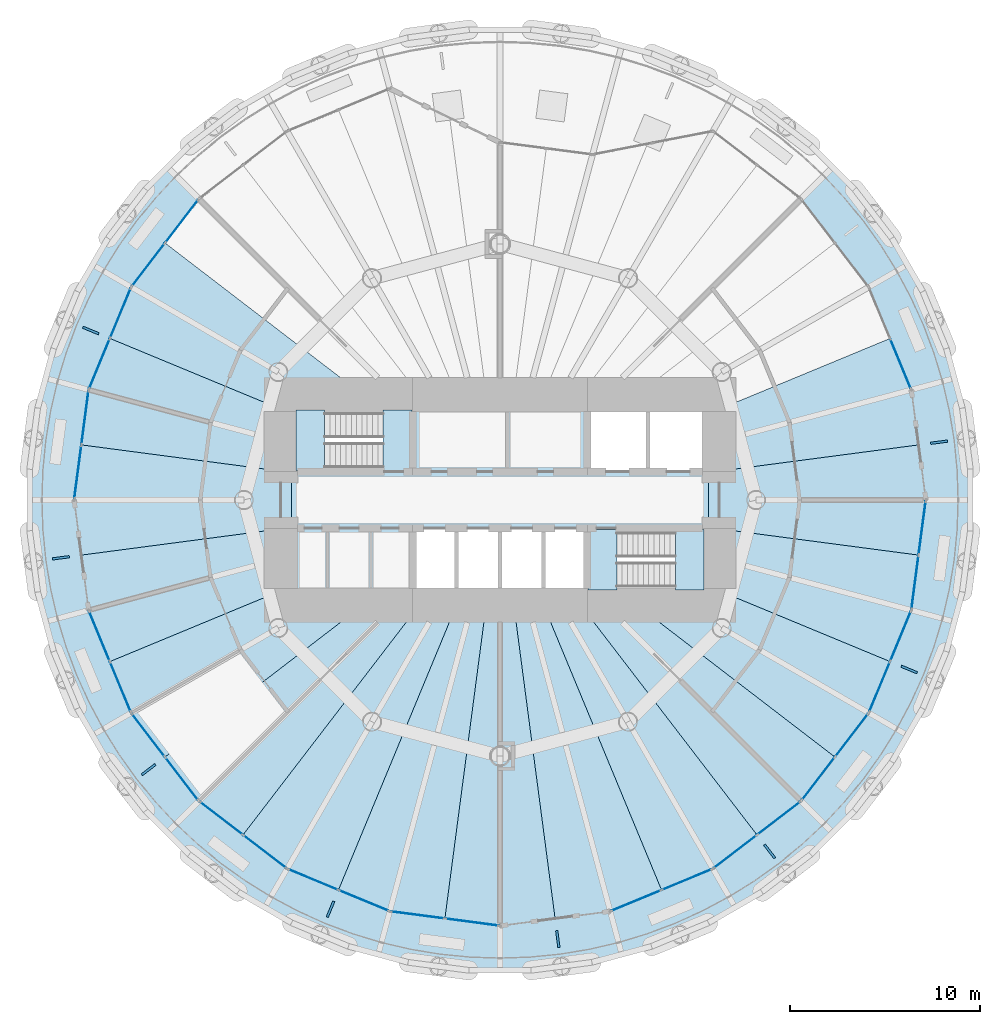
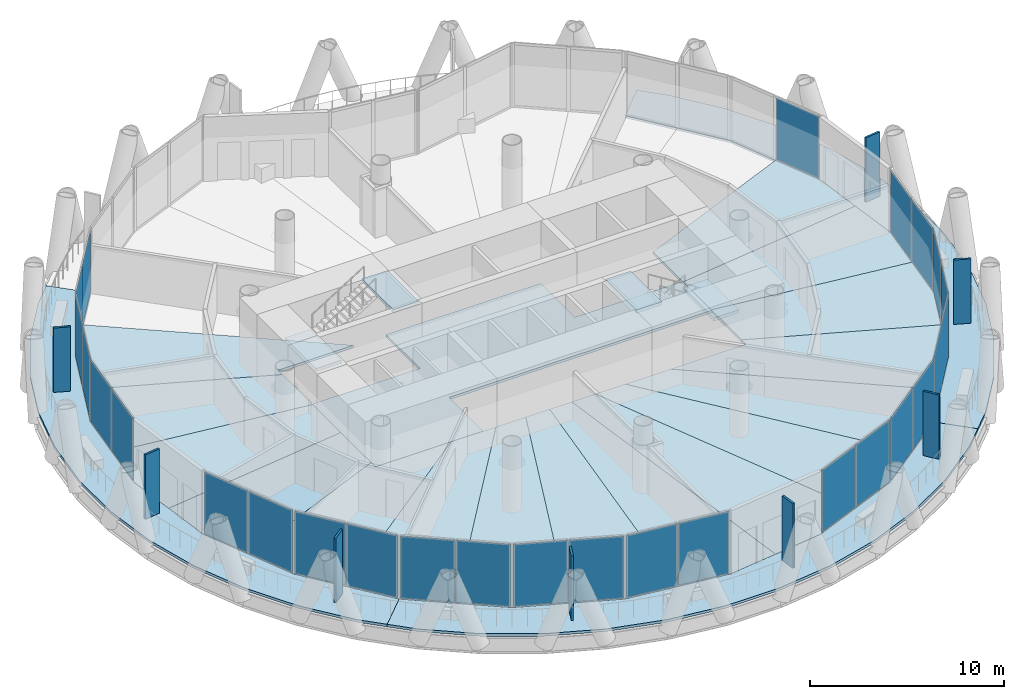
# One storey, part 8 of 15: 35 plates, 24 slabs, 16 elements without a shape of their own.
"""IFC4 building model written with IfcOpenShell, lengths in metres."""

from ifc_helpers import new_model, si_unit, direction, frame, origin, origin_2d, place, context, subcontext, project, spatial, polyline, rectangle, outline, extrude, material, layer, layer_set, type_object, element, aggregate, save


model = new_model("IFC4")

# Units and contexts
model_context = context("Model", 3, precision=1e-05, world=origin(), true_north=direction((0.0, 1.0)))
body_context = subcontext(model_context, "Body", "Model", "MODEL_VIEW")
ifc_project = project(units=[si_unit("LENGTHUNIT", "METRE"), si_unit("AREAUNIT", "SQUARE_METRE"), si_unit("VOLUMEUNIT", "CUBIC_METRE"), si_unit("PLANEANGLEUNIT", "RADIAN"), si_unit("MASSUNIT", "GRAM", prefix="KILO")], contexts=[model_context])

# Site, building, storey
site_placement = place(None, origin())
site = spatial("IfcSite", under=ifc_project, at=site_placement, CompositionType="ELEMENT")
building_placement = place(site_placement, origin())
building = spatial("IfcBuilding", under=site, at=building_placement, Name="Qaws Media Tower", CompositionType="ELEMENT")
storey_placement = place(building_placement, frame((0.0, 0.0, 147.800048828125)))
storey = spatial("IfcBuildingStorey", under=building, at=storey_placement, Name="L33", CompositionType="ELEMENT", Elevation=147.800048828125)

# Slabs
ifc_material_1 = material(Name="Concrete C35/45", Category="concrete")
ifc_layer_1 = layer(ifc_material_1, 0.159912109375)
ifc_layer_set_1 = layer_set([ifc_layer_1], Name="Composite balcony slab 160")
slab_type_1 = type_object("IfcSlabType", Name="Composite balcony slab 160", PredefinedType="FLOOR", material=ifc_layer_set_1)
slab_1_placement = place(storey_placement, frame((0.0, 0.0, -0.16015625)))
element("IfcSlab", 1, at=slab_1_placement, inside=storey, type_object=slab_type_1, Name="S2 balcony slab L33 R10 to R16, movement joints on R10 and R16", PredefinedType="FLOOR", context=body_context, shape_type="SweptSolid", body=[
    extrude(outline(polyline([(41.31689453125, 33.615234375), (39.337890625, 36.194091796875), (37.712646484375, 39.009033203125), (36.46875, 42.01220703125), (35.62744140625, 45.152099609375), (35.203125, 48.374755859375), (35.203125, 51.625244140625), (35.62744140625, 54.847900390625), (36.46875, 57.98779296875), (37.712646484375, 60.990966796875), (39.337890625, 63.805908203125), (41.31689453125, 66.384765625), (42.466064453125, 67.533935546875), (44.12548828125, 65.87451171875), (40.5576171875, 61.22509765625), (38.31494140625, 55.810546875), (37.550048828125, 50.0), (38.31494140625, 44.189453125), (40.5576171875, 38.77490234375), (44.12548828125, 34.12548828125), (42.466064453125, 32.466064453125), (41.31689453125, 33.615234375)])), origin(), (0.0, 0.0, 1.0), 0.16015625),
])
slab_2_placement = place(storey_placement, frame((0.0, 0.0, -0.16015625)))
element("IfcSlab", 2, at=slab_2_placement, inside=storey, type_object=slab_type_1, Name="S2 balcony slab L33 R16 to R22, movement joints on R16 and R22", PredefinedType="FLOOR", context=body_context, shape_type="SweptSolid", body=[
    extrude(outline(polyline([(76.384765625, 31.31689453125), (73.805908203125, 29.337890625), (70.990966796875, 27.712646484375), (67.98779296875, 26.46875), (64.847900390625, 25.62744140625), (61.625244140625, 25.203125), (58.374755859375, 25.203125), (55.152099609375, 25.62744140625), (52.01220703125, 26.46875), (49.009033203125, 27.712646484375), (46.194091796875, 29.337890625), (43.615234375, 31.31689453125), (42.466064453125, 32.466064453125), (44.12548828125, 34.12548828125), (48.77490234375, 30.5576171875), (54.189453125, 28.31494140625), (60.0, 27.550048828125), (65.810546875, 28.31494140625), (71.22509765625, 30.5576171875), (75.87451171875, 34.12548828125), (77.533935546875, 32.466064453125), (76.384765625, 31.31689453125)])), origin(), (0.0, 0.0, 1.0), 0.16015625),
])
slab_3_placement = place(storey_placement, frame((0.0, 0.0, -0.16015625)))
element("IfcSlab", 3, at=slab_3_placement, inside=storey, type_object=slab_type_1, Name="S2 balcony slab L33 R22 to R04, movement joints on R22 and R04", PredefinedType="FLOOR", context=body_context, shape_type="SweptSolid", body=[
    extrude(outline(polyline([(84.37255859375, 45.152099609375), (83.53125, 42.01220703125), (82.287353515625, 39.009033203125), (80.662109375, 36.194091796875), (78.68310546875, 33.615234375), (77.533935546875, 32.466064453125), (75.87451171875, 34.12548828125), (79.4423828125, 38.77490234375), (81.68505859375, 44.189453125), (82.449951171875, 50.0), (81.68505859375, 55.810546875), (79.4423828125, 61.22509765625), (75.87451171875, 65.87451171875), (77.533935546875, 67.533935546875), (78.68310546875, 66.384765625), (80.662109375, 63.805908203125), (82.287353515625, 60.990966796875), (83.53125, 57.98779296875), (84.37255859375, 54.847900390625), (84.796875, 51.625244140625), (84.796875, 48.374755859375), (84.37255859375, 45.152099609375)])), origin(), (0.0, 0.0, 1.0), 0.16015625),
])
ifc_material_2 = material(Name="Concrete C35/45", Category="concrete")
ifc_layer_2 = layer(ifc_material_2, 0.159912109375)
ifc_layer_set_2 = layer_set([ifc_layer_2], Name="Composite floor slab 160")
slab_type_2 = type_object("IfcSlabType", Name="Composite floor slab 160", PredefinedType="FLOOR", material=ifc_layer_set_2)
slab_4_placement = place(storey_placement, frame((0.0, 0.0, -0.16015625)))
element("IfcSlab", 4, at=slab_4_placement, inside=storey, type_object=slab_type_2, Name="S1 core floor slab L33", PredefinedType="FLOOR", context=body_context, shape_type="SweptSolid", body=[
    extrude(outline(polyline([(71.0, 51.5), (71.0, 48.5), (55.39990234375, 48.5), (55.39990234375, 45.0), (49.0, 45.0), (49.0, 51.5), (55.39990234375, 51.5), (55.39990234375, 55.0), (64.60009765625, 55.0), (64.60009765625, 51.5), (71.0, 51.5)])), origin(), (0.0, 0.0, 1.0), 0.16015625),
])
slab_5_placement = place(storey_placement, frame((0.0, 0.0, -0.16015625)))
element("IfcSlab", 5, at=slab_5_placement, inside=storey, type_object=slab_type_2, Name="S1 floor panel L33 on R01", PredefinedType="FLOOR", context=body_context, shape_type="SweptSolid", body=[
    extrude(outline(polyline([(82.449951171875, 50.0), (82.0673828125, 47.0947265625), (71.0, 48.5517578125), (71.0, 51.4482421875), (82.0673828125, 52.9052734375), (82.449951171875, 50.0)])), origin(), (0.0, 0.0, 1.0), 0.16015625),
])
slab_6_placement = place(storey_placement, frame((0.0, 0.0, -0.16015625)))
element("IfcSlab", 6, at=slab_6_placement, inside=storey, type_object=slab_type_2, Name="S1 floor panel L33 on R02", PredefinedType="FLOOR", context=body_context, shape_type="SweptSolid", body=[
    extrude(outline(polyline([(81.68505859375, 55.810546875), (82.0673828125, 52.9052734375), (71.0, 51.4482421875), (71.0, 54.556396484375), (80.563720703125, 58.517578125), (81.68505859375, 55.810546875)])), origin(), (0.0, 0.0, 1.0), 0.16015625),
])
slab_7_placement = place(storey_placement, frame((0.0, 0.0, -0.16015625)))
element("IfcSlab", 7, at=slab_7_placement, inside=storey, type_object=slab_type_2, Name="S1 floor panel L33 on R11", PredefinedType="FLOOR", context=body_context, shape_type="SweptSolid", body=[
    extrude(outline(polyline([(40.5576171875, 61.22509765625), (42.341552734375, 63.5498046875), (53.48388671875, 55.0), (49.0, 55.0), (49.0, 54.556396484375), (39.436279296875, 58.517578125), (40.5576171875, 61.22509765625)])), origin(), (0.0, 0.0, 1.0), 0.16015625),
])
slab_8_placement = place(storey_placement, frame((0.0, 0.0, -0.16015625)))
element("IfcSlab", 8, at=slab_8_placement, inside=storey, type_object=slab_type_2, Name="S1 floor panel L33 on R12", PredefinedType="FLOOR", context=body_context, shape_type="SweptSolid", body=[
    extrude(outline(polyline([(38.31494140625, 55.810546875), (39.436279296875, 58.517578125), (49.0, 54.556396484375), (49.0, 51.4482421875), (37.9326171875, 52.9052734375), (38.31494140625, 55.810546875)])), origin(), (0.0, 0.0, 1.0), 0.16015625),
])
slab_9_placement = place(storey_placement, frame((0.0, 0.0, -0.16015625)))
element("IfcSlab", 9, at=slab_9_placement, inside=storey, type_object=slab_type_2, Name="S1 floor panel L33 on R13", PredefinedType="FLOOR", context=body_context, shape_type="SweptSolid", body=[
    extrude(outline(polyline([(37.550048828125, 50.0), (37.9326171875, 52.9052734375), (49.0, 51.4482421875), (49.0, 48.5517578125), (37.9326171875, 47.0947265625), (37.550048828125, 50.0)])), origin(), (0.0, 0.0, 1.0), 0.16015625),
])
slab_10_placement = place(storey_placement, frame((0.0, 0.0, -0.16015625)))
element("IfcSlab", 10, at=slab_10_placement, inside=storey, type_object=slab_type_2, Name="S1 floor panel L33 on R14", PredefinedType="FLOOR", context=body_context, shape_type="SweptSolid", body=[
    extrude(outline(polyline([(38.31494140625, 44.189453125), (37.9326171875, 47.0947265625), (49.0, 48.5517578125), (49.0, 45.443603515625), (39.436279296875, 41.482421875), (38.31494140625, 44.189453125)])), origin(), (0.0, 0.0, 1.0), 0.16015625),
])
slab_11_placement = place(storey_placement, frame((0.0, 0.0, -0.16015625)))
element("IfcSlab", 11, at=slab_11_placement, inside=storey, type_object=slab_type_2, Name="S1 floor panel L33 on R15", PredefinedType="FLOOR", context=body_context, shape_type="SweptSolid", body=[
    extrude(outline(polyline([(40.5576171875, 38.77490234375), (39.436279296875, 41.482421875), (49.0, 45.443603515625), (49.0, 45.0), (53.48388671875, 45.0), (42.341552734375, 36.4501953125), (40.5576171875, 38.77490234375)])), origin(), (0.0, 0.0, 1.0), 0.16015625),
])
slab_12_placement = place(storey_placement, frame((0.0, 0.0, -0.16015625)))
element("IfcSlab", 12, at=slab_12_placement, inside=storey, type_object=slab_type_2, Name="S1 floor panel L33 on R16", PredefinedType="FLOOR", context=body_context, shape_type="SweptSolid", body=[
    extrude(outline(polyline([(44.12548828125, 34.12548828125), (42.341552734375, 36.4501953125), (53.48388671875, 45.0), (56.163330078125, 45.0), (46.4501953125, 32.341552734375), (44.12548828125, 34.12548828125)])), origin(), (0.0, 0.0, 1.0), 0.16015625),
])
slab_13_placement = place(storey_placement, frame((0.0, 0.0, -0.16015625)))
element("IfcSlab", 13, at=slab_13_placement, inside=storey, type_object=slab_type_2, Name="S1 floor panel L33 on R17", PredefinedType="FLOOR", context=body_context, shape_type="SweptSolid", body=[
    extrude(outline(polyline([(48.77490234375, 30.5576171875), (46.4501953125, 32.341552734375), (56.163330078125, 45.0), (57.928955078125, 45.0), (51.482421875, 29.436279296875), (48.77490234375, 30.5576171875)])), origin(), (0.0, 0.0, 1.0), 0.16015625),
])
slab_14_placement = place(storey_placement, frame((0.0, 0.0, -0.16015625)))
element("IfcSlab", 14, at=slab_14_placement, inside=storey, type_object=slab_type_2, Name="S1 floor panel L33 on R18", PredefinedType="FLOOR", context=body_context, shape_type="SweptSolid", body=[
    extrude(outline(polyline([(54.189453125, 28.31494140625), (51.482421875, 29.436279296875), (57.928955078125, 45.0), (59.341796875, 45.0), (57.0947265625, 27.9326171875), (54.189453125, 28.31494140625)])), origin(), (0.0, 0.0, 1.0), 0.16015625),
])
slab_15_placement = place(storey_placement, frame((0.0, 0.0, -0.16015625)))
element("IfcSlab", 15, at=slab_15_placement, inside=storey, type_object=slab_type_2, Name="S1 floor panel L33 on R19", PredefinedType="FLOOR", context=body_context, shape_type="SweptSolid", body=[
    extrude(outline(polyline([(60.0, 27.550048828125), (57.0947265625, 27.9326171875), (59.341796875, 45.0), (60.658203125, 45.0), (62.9052734375, 27.9326171875), (60.0, 27.550048828125)])), origin(), (0.0, 0.0, 1.0), 0.16015625),
])
slab_16_placement = place(storey_placement, frame((0.0, 0.0, -0.16015625)))
element("IfcSlab", 16, at=slab_16_placement, inside=storey, type_object=slab_type_2, Name="S1 floor panel L33 on R20", PredefinedType="FLOOR", context=body_context, shape_type="SweptSolid", body=[
    extrude(outline(polyline([(65.810546875, 28.31494140625), (62.9052734375, 27.9326171875), (60.658203125, 45.0), (62.071044921875, 45.0), (68.517578125, 29.436279296875), (65.810546875, 28.31494140625)])), origin(), (0.0, 0.0, 1.0), 0.16015625),
])
slab_17_placement = place(storey_placement, frame((0.0, 0.0, -0.16015625)))
element("IfcSlab", 17, at=slab_17_placement, inside=storey, type_object=slab_type_2, Name="S1 floor panel L33 on R21", PredefinedType="FLOOR", context=body_context, shape_type="SweptSolid", body=[
    extrude(outline(polyline([(71.22509765625, 30.5576171875), (68.517578125, 29.436279296875), (62.071044921875, 45.0), (63.836669921875, 45.0), (73.5498046875, 32.341552734375), (71.22509765625, 30.5576171875)])), origin(), (0.0, 0.0, 1.0), 0.16015625),
])
slab_18_placement = place(storey_placement, frame((0.0, 0.0, -0.16015625)))
element("IfcSlab", 18, at=slab_18_placement, inside=storey, type_object=slab_type_2, Name="S1 floor panel L33 on R22", PredefinedType="FLOOR", context=body_context, shape_type="SweptSolid", body=[
    extrude(outline(polyline([(75.87451171875, 34.12548828125), (73.5498046875, 32.341552734375), (63.836669921875, 45.0), (66.51611328125, 45.0), (77.658447265625, 36.4501953125), (75.87451171875, 34.12548828125)])), origin(), (0.0, 0.0, 1.0), 0.16015625),
])
slab_19_placement = place(storey_placement, frame((0.0, 0.0, -0.16015625)))
element("IfcSlab", 19, at=slab_19_placement, inside=storey, type_object=slab_type_2, Name="S1 floor panel L33 on R23", PredefinedType="FLOOR", context=body_context, shape_type="SweptSolid", body=[
    extrude(outline(polyline([(79.4423828125, 38.77490234375), (77.658447265625, 36.4501953125), (66.51611328125, 45.0), (71.0, 45.0), (71.0, 45.443603515625), (80.563720703125, 41.482421875), (79.4423828125, 38.77490234375)])), origin(), (0.0, 0.0, 1.0), 0.16015625),
])
slab_20_placement = place(storey_placement, frame((0.0, 0.0, -0.16015625)))
element("IfcSlab", 20, at=slab_20_placement, inside=storey, type_object=slab_type_2, Name="S1 floor panel L33 on R24", PredefinedType="FLOOR", context=body_context, shape_type="SweptSolid", body=[
    extrude(outline(polyline([(80.563720703125, 41.482421875), (71.0, 45.443603515625), (71.0, 48.5517578125), (82.0673828125, 47.0947265625), (81.68505859375, 44.189453125), (80.563720703125, 41.482421875)])), origin(), (0.0, 0.0, 1.0), 0.16015625),
])

# Curtain wall, plate
ifc_material_3 = material(Name="Aluminium and clear glass", Category="aluminium")
curtain_wall_type = type_object("IfcCurtainWallType", Name="Unitised curtain wall CW-B", PredefinedType="NOTDEFINED", material=ifc_material_3)
curtain_wall_1_placement = place(storey_placement, origin())
curtain_wall_1 = element("IfcCurtainWall", 21, at=curtain_wall_1_placement, inside=storey, type_object=curtain_wall_type, Name="CWB curtain wall L33-02", PredefinedType="NOTDEFINED")
ifc_material_4 = material(Name="Clear laminated double glazing", Category="glass")
ifc_layer_3 = layer(ifc_material_4, 0.031982421875)
ifc_layer_set_3 = layer_set([ifc_layer_3], Name="Curtain wall glass unit 32")
plate_type_1 = type_object("IfcPlateType", Name="Curtain wall glass unit 32", PredefinedType="CURTAIN_PANEL", material=ifc_layer_set_3)
plate_1_placement = place(storey_placement, frame((81.11669921875, 57.1826171875, 0.080078125), z_axis=(0.0, 0.0, 1.0), x_axis=(-0.382683533725, 0.923879490527, 0.0)))
plate_1 = element("IfcPlate", 22, at=plate_1_placement, type_object=plate_type_1, Name="CWB panel 1.1", PredefinedType="CURTAIN_PANEL", context=body_context, shape_type="SweptSolid", body=[
    extrude(rectangle(XDim=2.810302734375, YDim=0.031982421875, at=origin_2d()), origin(), (0.0, 0.0, 1.0), 3.8798828125),
])
aggregate(curtain_wall_1, [plate_1])

# Curtain wall, plates
curtain_wall_2_placement = place(storey_placement, origin())
curtain_wall_2 = element("IfcCurtainWall", 23, at=curtain_wall_2_placement, inside=storey, type_object=curtain_wall_type, Name="CWB curtain wall L33-10", PredefinedType="NOTDEFINED")
plate_2_placement = place(storey_placement, frame((43.221435546875, 64.6962890625, 0.080078125), z_axis=(0.0, 0.0, 1.0), x_axis=(-0.608761440294, -0.793353331632, 0.0)))
plate_2 = element("IfcPlate", 24, at=plate_2_placement, type_object=plate_type_1, Name="CWB panel 1.1", PredefinedType="CURTAIN_PANEL", context=body_context, shape_type="SweptSolid", body=[
    extrude(rectangle(XDim=2.810302734375, YDim=0.031982421875, at=origin_2d()), origin(), (0.0, 0.0, 1.0), 3.8798828125),
])
plate_3_placement = place(storey_placement, frame((41.4619140625, 62.4033203125, 0.080078125), z_axis=(0.0, 0.0, 1.0), x_axis=(-0.608761440294, -0.793353331632, 0.0)))
plate_3 = element("IfcPlate", 25, at=plate_3_placement, type_object=plate_type_1, Name="CWB panel 2.1", PredefinedType="CURTAIN_PANEL", context=body_context, shape_type="SweptSolid", body=[
    extrude(rectangle(XDim=2.810302734375, YDim=0.031982421875, at=origin_2d()), origin(), (0.0, 0.0, 1.0), 3.8798828125),
])
aggregate(curtain_wall_2, [plate_2, plate_3])

curtain_wall_3_placement = place(storey_placement, origin())
curtain_wall_3 = element("IfcCurtainWall", 26, at=curtain_wall_3_placement, inside=storey, type_object=curtain_wall_type, Name="CWB curtain wall L33-11", PredefinedType="NOTDEFINED")
plate_4_placement = place(storey_placement, frame((39.989501953125, 59.852783203125, 0.080078125), z_axis=(0.0, 0.0, 1.0), x_axis=(-0.382683533725, -0.923879490527, 0.0)))
plate_4 = element("IfcPlate", 27, at=plate_4_placement, type_object=plate_type_1, Name="CWB panel 1.1", PredefinedType="CURTAIN_PANEL", context=body_context, shape_type="SweptSolid", body=[
    extrude(rectangle(XDim=2.810302734375, YDim=0.031982421875, at=origin_2d()), origin(), (0.0, 0.0, 1.0), 3.8798828125),
])
plate_5_placement = place(storey_placement, frame((38.88330078125, 57.1826171875, 0.080078125), z_axis=(0.0, 0.0, 1.0), x_axis=(-0.382683533725, -0.923879490527, 0.0)))
plate_5 = element("IfcPlate", 28, at=plate_5_placement, type_object=plate_type_1, Name="CWB panel 2.1", PredefinedType="CURTAIN_PANEL", context=body_context, shape_type="SweptSolid", body=[
    extrude(rectangle(XDim=2.810302734375, YDim=0.031982421875, at=origin_2d()), origin(), (0.0, 0.0, 1.0), 3.8798828125),
])
aggregate(curtain_wall_3, [plate_4, plate_5])

curtain_wall_4_placement = place(storey_placement, origin())
curtain_wall_4 = element("IfcCurtainWall", 29, at=curtain_wall_4_placement, inside=storey, type_object=curtain_wall_type, Name="CWB curtain wall L33-12", PredefinedType="NOTDEFINED")
plate_6_placement = place(storey_placement, frame((38.12109375, 54.338134765625, 0.080078125), z_axis=(0.0, 0.0, 1.0), x_axis=(-0.130526149047, -0.991444867058, 0.0)))
plate_6 = element("IfcPlate", 30, at=plate_6_placement, type_object=plate_type_1, Name="CWB panel 1.1", PredefinedType="CURTAIN_PANEL", context=body_context, shape_type="SweptSolid", body=[
    extrude(rectangle(XDim=2.810302734375, YDim=0.031982421875, at=origin_2d()), origin(), (0.0, 0.0, 1.0), 3.8798828125),
])
plate_7_placement = place(storey_placement, frame((37.743896484375, 51.472412109375, 0.080078125), z_axis=(0.0, 0.0, 1.0), x_axis=(-0.130526149047, -0.991444867058, 0.0)))
plate_7 = element("IfcPlate", 31, at=plate_7_placement, type_object=plate_type_1, Name="CWB panel 2.1", PredefinedType="CURTAIN_PANEL", context=body_context, shape_type="SweptSolid", body=[
    extrude(rectangle(XDim=2.810302734375, YDim=0.031982421875, at=origin_2d()), origin(), (0.0, 0.0, 1.0), 3.8798828125),
])
aggregate(curtain_wall_4, [plate_6, plate_7])

curtain_wall_5_placement = place(storey_placement, origin())
curtain_wall_5 = element("IfcCurtainWall", 32, at=curtain_wall_5_placement, inside=storey, type_object=curtain_wall_type, Name="CWB curtain wall L33-14", PredefinedType="NOTDEFINED")
plate_8_placement = place(storey_placement, frame((38.88330078125, 42.8173828125, 0.080078125), z_axis=(0.0, 0.0, 1.0), x_axis=(0.382683533725, -0.923879490527, 0.0)))
plate_8 = element("IfcPlate", 33, at=plate_8_placement, type_object=plate_type_1, Name="CWB panel 1.1", PredefinedType="CURTAIN_PANEL", context=body_context, shape_type="SweptSolid", body=[
    extrude(rectangle(XDim=2.810302734375, YDim=0.031982421875, at=origin_2d()), origin(), (0.0, 0.0, 1.0), 3.8798828125),
])
plate_9_placement = place(storey_placement, frame((39.989501953125, 40.147216796875, 0.080078125), z_axis=(0.0, 0.0, 1.0), x_axis=(0.382683533725, -0.923879490527, 0.0)))
plate_9 = element("IfcPlate", 34, at=plate_9_placement, type_object=plate_type_1, Name="CWB panel 2.1", PredefinedType="CURTAIN_PANEL", context=body_context, shape_type="SweptSolid", body=[
    extrude(rectangle(XDim=2.810302734375, YDim=0.031982421875, at=origin_2d()), origin(), (0.0, 0.0, 1.0), 3.8798828125),
])
aggregate(curtain_wall_5, [plate_8, plate_9])

curtain_wall_6_placement = place(storey_placement, origin())
curtain_wall_6 = element("IfcCurtainWall", 35, at=curtain_wall_6_placement, inside=storey, type_object=curtain_wall_type, Name="CWB curtain wall L33-15", PredefinedType="NOTDEFINED")
plate_10_placement = place(storey_placement, frame((41.4619140625, 37.5966796875, 0.080078125), z_axis=(0.0, 0.0, 1.0), x_axis=(0.608761440294, -0.793353331632, 0.0)))
plate_10 = element("IfcPlate", 36, at=plate_10_placement, type_object=plate_type_1, Name="CWB panel 1.1", PredefinedType="CURTAIN_PANEL", context=body_context, shape_type="SweptSolid", body=[
    extrude(rectangle(XDim=2.810302734375, YDim=0.031982421875, at=origin_2d()), origin(), (0.0, 0.0, 1.0), 3.8798828125),
])
plate_11_placement = place(storey_placement, frame((43.221435546875, 35.3037109375, 0.080078125), z_axis=(0.0, 0.0, 1.0), x_axis=(0.608761440294, -0.793353331632, 0.0)))
plate_11 = element("IfcPlate", 37, at=plate_11_placement, type_object=plate_type_1, Name="CWB panel 2.1", PredefinedType="CURTAIN_PANEL", context=body_context, shape_type="SweptSolid", body=[
    extrude(rectangle(XDim=2.810302734375, YDim=0.031982421875, at=origin_2d()), origin(), (0.0, 0.0, 1.0), 3.8798828125),
])
aggregate(curtain_wall_6, [plate_10, plate_11])

curtain_wall_7_placement = place(storey_placement, origin())
curtain_wall_7 = element("IfcCurtainWall", 38, at=curtain_wall_7_placement, inside=storey, type_object=curtain_wall_type, Name="CWB curtain wall L33-16", PredefinedType="NOTDEFINED")
plate_12_placement = place(storey_placement, frame((45.3037109375, 33.221435546875, 0.080078125), z_axis=(0.0, 0.0, 1.0), x_axis=(0.793353331632, -0.608761440294, 0.0)))
plate_12 = element("IfcPlate", 39, at=plate_12_placement, type_object=plate_type_1, Name="CWB panel 1.1", PredefinedType="CURTAIN_PANEL", context=body_context, shape_type="SweptSolid", body=[
    extrude(rectangle(XDim=2.810302734375, YDim=0.031982421875, at=origin_2d()), origin(), (0.0, 0.0, 1.0), 3.8798828125),
])
plate_13_placement = place(storey_placement, frame((47.5966796875, 31.4619140625, 0.080078125), z_axis=(0.0, 0.0, 1.0), x_axis=(0.793353331632, -0.608761440294, 0.0)))
plate_13 = element("IfcPlate", 40, at=plate_13_placement, type_object=plate_type_1, Name="CWB panel 2.1", PredefinedType="CURTAIN_PANEL", context=body_context, shape_type="SweptSolid", body=[
    extrude(rectangle(XDim=2.810302734375, YDim=0.031982421875, at=origin_2d()), origin(), (0.0, 0.0, 1.0), 3.8798828125),
])
aggregate(curtain_wall_7, [plate_12, plate_13])

curtain_wall_8_placement = place(storey_placement, origin())
curtain_wall_8 = element("IfcCurtainWall", 41, at=curtain_wall_8_placement, inside=storey, type_object=curtain_wall_type, Name="CWB curtain wall L33-17", PredefinedType="NOTDEFINED")
plate_14_placement = place(storey_placement, frame((50.147216796875, 29.989501953125, 0.080078125), z_axis=(0.0, 0.0, 1.0), x_axis=(0.923879490527, -0.382683533725, 0.0)))
plate_14 = element("IfcPlate", 42, at=plate_14_placement, type_object=plate_type_1, Name="CWB panel 1.1", PredefinedType="CURTAIN_PANEL", context=body_context, shape_type="SweptSolid", body=[
    extrude(rectangle(XDim=2.810302734375, YDim=0.031982421875, at=origin_2d()), origin(), (0.0, 0.0, 1.0), 3.8798828125),
])
plate_15_placement = place(storey_placement, frame((52.8173828125, 28.88330078125, 0.080078125), z_axis=(0.0, 0.0, 1.0), x_axis=(0.923879490527, -0.382683533725, 0.0)))
plate_15 = element("IfcPlate", 43, at=plate_15_placement, type_object=plate_type_1, Name="CWB panel 2.1", PredefinedType="CURTAIN_PANEL", context=body_context, shape_type="SweptSolid", body=[
    extrude(rectangle(XDim=2.810302734375, YDim=0.031982421875, at=origin_2d()), origin(), (0.0, 0.0, 1.0), 3.8798828125),
])
aggregate(curtain_wall_8, [plate_14, plate_15])

curtain_wall_9_placement = place(storey_placement, origin())
curtain_wall_9 = element("IfcCurtainWall", 44, at=curtain_wall_9_placement, inside=storey, type_object=curtain_wall_type, Name="CWB curtain wall L33-18", PredefinedType="NOTDEFINED")
plate_16_placement = place(storey_placement, frame((55.661865234375, 28.12109375, 0.080078125), z_axis=(0.0, 0.0, 1.0), x_axis=(0.991444867058, -0.130526149047, 0.0)))
plate_16 = element("IfcPlate", 45, at=plate_16_placement, type_object=plate_type_1, Name="CWB panel 1.1", PredefinedType="CURTAIN_PANEL", context=body_context, shape_type="SweptSolid", body=[
    extrude(rectangle(XDim=2.810302734375, YDim=0.031982421875, at=origin_2d()), origin(), (0.0, 0.0, 1.0), 3.8798828125),
])
plate_17_placement = place(storey_placement, frame((58.527587890625, 27.743896484375, 0.080078125), z_axis=(0.0, 0.0, 1.0), x_axis=(0.991444867058, -0.130526149047, 0.0)))
plate_17 = element("IfcPlate", 46, at=plate_17_placement, type_object=plate_type_1, Name="CWB panel 2.1", PredefinedType="CURTAIN_PANEL", context=body_context, shape_type="SweptSolid", body=[
    extrude(rectangle(XDim=2.810302734375, YDim=0.031982421875, at=origin_2d()), origin(), (0.0, 0.0, 1.0), 3.8798828125),
])
aggregate(curtain_wall_9, [plate_16, plate_17])

curtain_wall_10_placement = place(storey_placement, origin())
curtain_wall_10 = element("IfcCurtainWall", 47, at=curtain_wall_10_placement, inside=storey, type_object=curtain_wall_type, Name="CWB curtain wall L33-20", PredefinedType="NOTDEFINED")
plate_18_placement = place(storey_placement, frame((67.1826171875, 28.88330078125, 0.080078125), z_axis=(0.0, 0.0, 1.0), x_axis=(0.923879490527, 0.382683533725, 0.0)))
plate_18 = element("IfcPlate", 48, at=plate_18_placement, type_object=plate_type_1, Name="CWB panel 1.1", PredefinedType="CURTAIN_PANEL", context=body_context, shape_type="SweptSolid", body=[
    extrude(rectangle(XDim=2.810302734375, YDim=0.031982421875, at=origin_2d()), origin(), (0.0, 0.0, 1.0), 3.8798828125),
])
plate_19_placement = place(storey_placement, frame((69.852783203125, 29.989501953125, 0.080078125), z_axis=(0.0, 0.0, 1.0), x_axis=(0.923879490527, 0.382683533725, 0.0)))
plate_19 = element("IfcPlate", 49, at=plate_19_placement, type_object=plate_type_1, Name="CWB panel 2.1", PredefinedType="CURTAIN_PANEL", context=body_context, shape_type="SweptSolid", body=[
    extrude(rectangle(XDim=2.810302734375, YDim=0.031982421875, at=origin_2d()), origin(), (0.0, 0.0, 1.0), 3.8798828125),
])
aggregate(curtain_wall_10, [plate_18, plate_19])

curtain_wall_11_placement = place(storey_placement, origin())
curtain_wall_11 = element("IfcCurtainWall", 50, at=curtain_wall_11_placement, inside=storey, type_object=curtain_wall_type, Name="CWB curtain wall L33-21", PredefinedType="NOTDEFINED")
plate_20_placement = place(storey_placement, frame((72.4033203125, 31.4619140625, 0.080078125), z_axis=(0.0, 0.0, 1.0), x_axis=(0.793353331632, 0.608761440294, 0.0)))
plate_20 = element("IfcPlate", 51, at=plate_20_placement, type_object=plate_type_1, Name="CWB panel 1.1", PredefinedType="CURTAIN_PANEL", context=body_context, shape_type="SweptSolid", body=[
    extrude(rectangle(XDim=2.810302734375, YDim=0.031982421875, at=origin_2d()), origin(), (0.0, 0.0, 1.0), 3.8798828125),
])
plate_21_placement = place(storey_placement, frame((74.6962890625, 33.221435546875, 0.080078125), z_axis=(0.0, 0.0, 1.0), x_axis=(0.793353331632, 0.608761440294, 0.0)))
plate_21 = element("IfcPlate", 52, at=plate_21_placement, type_object=plate_type_1, Name="CWB panel 2.1", PredefinedType="CURTAIN_PANEL", context=body_context, shape_type="SweptSolid", body=[
    extrude(rectangle(XDim=2.810302734375, YDim=0.031982421875, at=origin_2d()), origin(), (0.0, 0.0, 1.0), 3.8798828125),
])
aggregate(curtain_wall_11, [plate_20, plate_21])

curtain_wall_12_placement = place(storey_placement, origin())
curtain_wall_12 = element("IfcCurtainWall", 53, at=curtain_wall_12_placement, inside=storey, type_object=curtain_wall_type, Name="CWB curtain wall L33-22", PredefinedType="NOTDEFINED")
plate_22_placement = place(storey_placement, frame((76.778564453125, 35.3037109375, 0.080078125), z_axis=(0.0, 0.0, 1.0), x_axis=(0.608761440294, 0.793353331632, 0.0)))
plate_22 = element("IfcPlate", 54, at=plate_22_placement, type_object=plate_type_1, Name="CWB panel 1.1", PredefinedType="CURTAIN_PANEL", context=body_context, shape_type="SweptSolid", body=[
    extrude(rectangle(XDim=2.810302734375, YDim=0.031982421875, at=origin_2d()), origin(), (0.0, 0.0, 1.0), 3.8798828125),
])
plate_23_placement = place(storey_placement, frame((78.5380859375, 37.5966796875, 0.080078125), z_axis=(0.0, 0.0, 1.0), x_axis=(0.608761440294, 0.793353331632, 0.0)))
plate_23 = element("IfcPlate", 55, at=plate_23_placement, type_object=plate_type_1, Name="CWB panel 2.1", PredefinedType="CURTAIN_PANEL", context=body_context, shape_type="SweptSolid", body=[
    extrude(rectangle(XDim=2.810302734375, YDim=0.031982421875, at=origin_2d()), origin(), (0.0, 0.0, 1.0), 3.8798828125),
])
aggregate(curtain_wall_12, [plate_22, plate_23])

curtain_wall_13_placement = place(storey_placement, origin())
curtain_wall_13 = element("IfcCurtainWall", 56, at=curtain_wall_13_placement, inside=storey, type_object=curtain_wall_type, Name="CWB curtain wall L33-23", PredefinedType="NOTDEFINED")
plate_24_placement = place(storey_placement, frame((80.010498046875, 40.147216796875, 0.080078125), z_axis=(0.0, 0.0, 1.0), x_axis=(0.382683533725, 0.923879490527, 0.0)))
plate_24 = element("IfcPlate", 57, at=plate_24_placement, type_object=plate_type_1, Name="CWB panel 1.1", PredefinedType="CURTAIN_PANEL", context=body_context, shape_type="SweptSolid", body=[
    extrude(rectangle(XDim=2.810302734375, YDim=0.031982421875, at=origin_2d()), origin(), (0.0, 0.0, 1.0), 3.8798828125),
])
plate_25_placement = place(storey_placement, frame((81.11669921875, 42.8173828125, 0.080078125), z_axis=(0.0, 0.0, 1.0), x_axis=(0.382683533725, 0.923879490527, 0.0)))
plate_25 = element("IfcPlate", 58, at=plate_25_placement, type_object=plate_type_1, Name="CWB panel 2.1", PredefinedType="CURTAIN_PANEL", context=body_context, shape_type="SweptSolid", body=[
    extrude(rectangle(XDim=2.810302734375, YDim=0.031982421875, at=origin_2d()), origin(), (0.0, 0.0, 1.0), 3.8798828125),
])
aggregate(curtain_wall_13, [plate_24, plate_25])

curtain_wall_14_placement = place(storey_placement, origin())
curtain_wall_14 = element("IfcCurtainWall", 59, at=curtain_wall_14_placement, inside=storey, type_object=curtain_wall_type, Name="CWB curtain wall L33-24", PredefinedType="NOTDEFINED")
plate_26_placement = place(storey_placement, frame((81.87890625, 45.661865234375, 0.080078125), z_axis=(0.0, 0.0, 1.0), x_axis=(0.130526149047, 0.991444867058, 0.0)))
plate_26 = element("IfcPlate", 60, at=plate_26_placement, type_object=plate_type_1, Name="CWB panel 1.1", PredefinedType="CURTAIN_PANEL", context=body_context, shape_type="SweptSolid", body=[
    extrude(rectangle(XDim=2.810302734375, YDim=0.031982421875, at=origin_2d()), origin(), (0.0, 0.0, 1.0), 3.8798828125),
])
plate_27_placement = place(storey_placement, frame((82.256103515625, 48.527587890625, 0.080078125), z_axis=(0.0, 0.0, 1.0), x_axis=(0.130526149047, 0.991444867058, 0.0)))
plate_27 = element("IfcPlate", 61, at=plate_27_placement, type_object=plate_type_1, Name="CWB panel 2.1", PredefinedType="CURTAIN_PANEL", context=body_context, shape_type="SweptSolid", body=[
    extrude(rectangle(XDim=2.810302734375, YDim=0.031982421875, at=origin_2d()), origin(), (0.0, 0.0, 1.0), 3.8798828125),
])
aggregate(curtain_wall_14, [plate_26, plate_27])

# Plates
ifc_material_5 = material(Name="Precast concrete screen fin", Category="concrete")
ifc_layer_4 = layer(ifc_material_5, 0.1201171875)
ifc_layer_set_4 = layer_set([ifc_layer_4], Name="Screen fin 120x900")
plate_type_2 = type_object("IfcPlateType", Name="Screen fin 120x900", PredefinedType="USERDEFINED", material=ifc_layer_set_4)
for number, where, z_axis, x_axis, name in (
    (62, (83.150146484375, 53.0478515625, 0.0), (0.0, 0.0, 1.0), (0.991444861374, 0.13052619222, 0.0), "SCR1 screen fin L33-01"),
    (63, (38.427490234375, 58.935546875, 0.0), (0.0, 0.0, 1.0), (-0.923879532511, 0.382683432365, 0.0), "SCR1 screen fin L33-06"),
    (64, (36.849853515625, 46.9521484375, 0.0), (0.0, 0.0, 1.0), (-0.991444861374, -0.13052619222, 0.0), "SCR1 screen fin L33-07"),
    (65, (41.47509765625, 35.785400390625, 0.0), (0.0, 0.0, 1.0), (-0.793353340291, -0.608761429009, 0.0), "SCR1 screen fin L33-08"),
    (66, (51.064453125, 28.427490234375, 0.0), (0.0, 0.0, 1.0), (-0.382683432365, -0.923879532511, 0.0), "SCR1 screen fin L33-09"),
    (67, (63.0478515625, 26.849853515625, 0.0), (0.0, 0.0, 1.0), (0.13052619222, -0.991444861374, 0.0), "SCR1 screen fin L33-10"),
    (68, (74.214599609375, 31.47509765625, 0.0), (0.0, 0.0, 1.0), (0.608761429009, -0.793353340291, 0.0), "SCR1 screen fin L33-11"),
    (69, (81.572509765625, 41.064453125, 0.0), (0.0, 0.0, 1.0), (0.923879532511, -0.382683432365, 0.0), "SCR1 screen fin L33-12"),
):
    element("IfcPlate", number, at=place(storey_placement, frame(where, z_axis=z_axis, x_axis=x_axis)), inside=storey, type_object=plate_type_2, Name=name, ObjectType="SCREEN", PredefinedType="USERDEFINED", context=body_context, shape_type="SweptSolid", body=[
        extrude(rectangle(XDim=0.89990234375, YDim=0.1201171875, at=origin_2d()), origin(), (0.0, 0.0, 1.0), 4.0400390625),
    ])

# Stair, slabs
ifc_material_6 = material(Name="Concrete C40/50", Category="concrete")
stair_type = type_object("IfcStairType", Name="Exit stair", PredefinedType="HALF_TURN_STAIR", material=ifc_material_6)
stair_1_placement = place(storey_placement, origin())
stair_1 = element("IfcStair", 70, at=stair_1_placement, inside=storey, type_object=stair_type, Name="S1 exit stair L33", PredefinedType="HALF_TURN_STAIR")
ifc_material_7 = material(Name="Concrete C40/50", Category="concrete")
ifc_layer_5 = layer(ifc_material_7, 0.199951171875)
ifc_layer_set_5 = layer_set([ifc_layer_5], Name="Stair landing 200")
slab_type_3 = type_object("IfcSlabType", Name="Stair landing 200", PredefinedType="LANDING", material=ifc_layer_set_5)
slab_21_placement = place(storey_placement, frame((0.0, 0.0, 1.89990234375)))
slab_21 = element("IfcSlab", 71, at=slab_21_placement, type_object=slab_type_3, Name="S1 landing 1", PredefinedType="LANDING", context=body_context, shape_type="SweptSolid", body=[
    extrude(outline(polyline([(49.25, 51.550048828125), (50.760009765625, 51.550048828125), (50.760009765625, 54.75), (49.25, 54.75), (49.25, 51.550048828125)])), origin(), (0.0, 0.0, 1.0), 0.199951171875),
])
slab_22_placement = place(storey_placement, frame((0.0, 0.0, 4.0)))
slab_22 = element("IfcSlab", 72, at=slab_22_placement, type_object=slab_type_3, Name="S1 landing 2", PredefinedType="LANDING", context=body_context, shape_type="SweptSolid", body=[
    extrude(outline(polyline([(53.840087890625, 51.550048828125), (55.35009765625, 51.550048828125), (55.35009765625, 54.75), (53.840087890625, 54.75), (53.840087890625, 51.550048828125)])), origin(), (0.0, 0.0, 1.0), 0.199951171875),
])
aggregate(stair_1, [slab_21, slab_22])

stair_2_placement = place(storey_placement, origin())
stair_2 = element("IfcStair", 73, at=stair_2_placement, inside=storey, type_object=stair_type, Name="S2 exit stair L33", PredefinedType="HALF_TURN_STAIR")
slab_23_placement = place(storey_placement, frame((0.0, 0.0, 1.89990234375)))
slab_23 = element("IfcSlab", 74, at=slab_23_placement, type_object=slab_type_3, Name="S2 landing 1", PredefinedType="LANDING", context=body_context, shape_type="SweptSolid", body=[
    extrude(outline(polyline([(69.239990234375, 45.25), (70.75, 45.25), (70.75, 48.449951171875), (69.239990234375, 48.449951171875), (69.239990234375, 45.25)])), origin(), (0.0, 0.0, 1.0), 0.199951171875),
])
slab_24_placement = place(storey_placement, frame((0.0, 0.0, 4.0)))
slab_24 = element("IfcSlab", 75, at=slab_24_placement, type_object=slab_type_3, Name="S2 landing 2", PredefinedType="LANDING", context=body_context, shape_type="SweptSolid", body=[
    extrude(outline(polyline([(64.64990234375, 45.25), (66.159912109375, 45.25), (66.159912109375, 48.449951171875), (64.64990234375, 48.449951171875), (64.64990234375, 45.25)])), origin(), (0.0, 0.0, 1.0), 0.199951171875),
])
aggregate(stair_2, [slab_23, slab_24])

save(model, "model.ifc")
